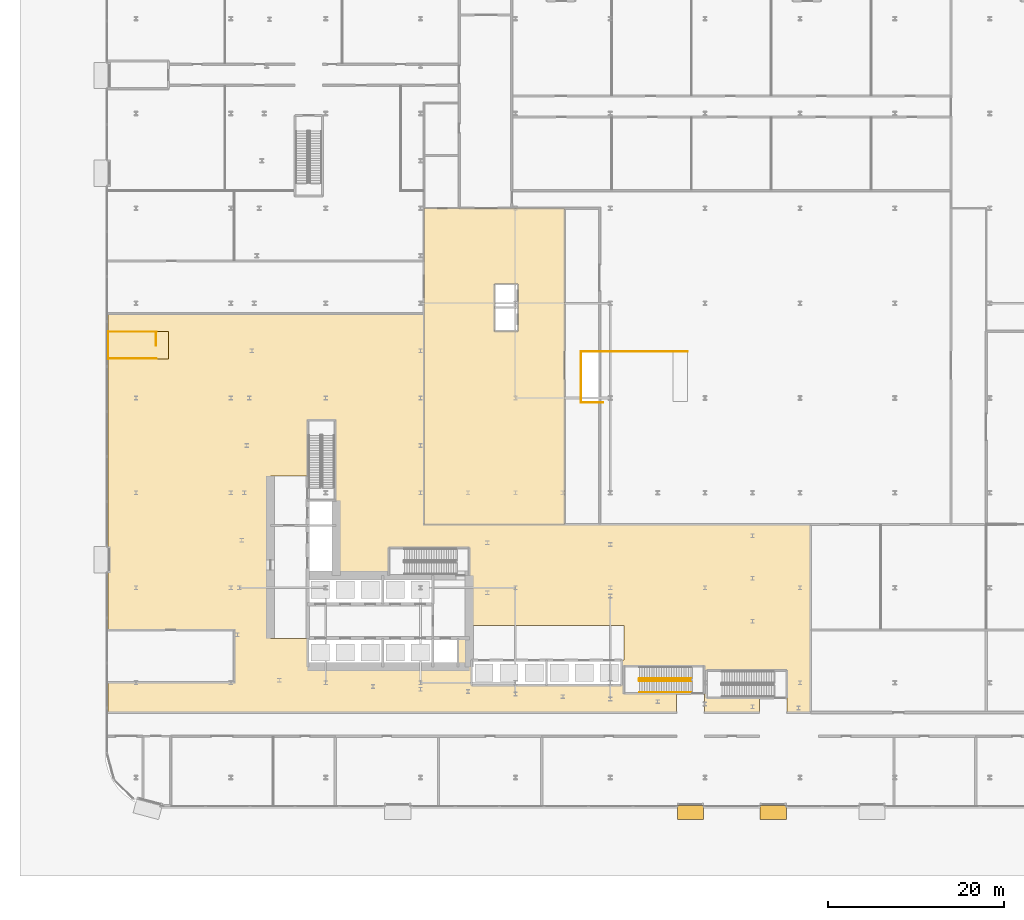
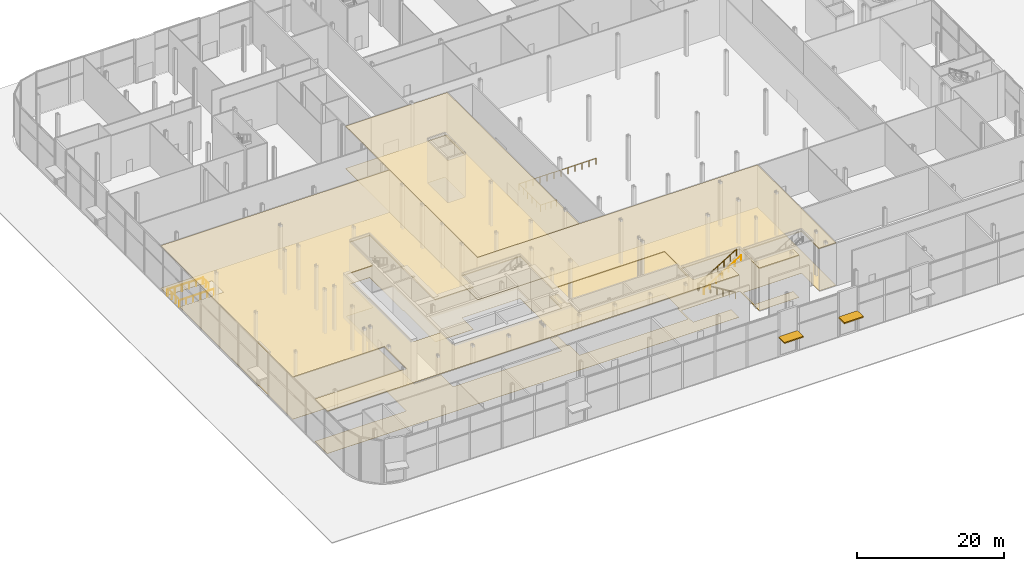
# One storey, part 37 of 46: 7 railings, 4 coverings, 2 shading devices.
"""IFC4 building model written with IfcOpenShell, lengths in metres."""

from ifc_helpers import new_model, si_unit, direction, frame, origin, origin_2d, place, context, subcontext, project, spatial, polyline, rectangle, circle, outline, extrude, material, layer, layer_set, type_object, element, save


model = new_model("IFC4")

# Units and contexts
model_context = context("Model", 3, precision=1e-05, world=origin(), true_north=direction((0.0, 1.0)))
body_context = subcontext(model_context, "Body", "Model", "MODEL_VIEW")
ifc_project = project(units=[si_unit("LENGTHUNIT", "METRE"), si_unit("AREAUNIT", "SQUARE_METRE"), si_unit("VOLUMEUNIT", "CUBIC_METRE"), si_unit("PLANEANGLEUNIT", "RADIAN"), si_unit("MASSUNIT", "GRAM", prefix="KILO")], contexts=[model_context])

# Site, building, storey
site_placement = place(None, origin())
site = spatial("IfcSite", under=ifc_project, at=site_placement, CompositionType="ELEMENT")
building_placement = place(site_placement, origin())
building = spatial("IfcBuilding", under=site, at=building_placement, Name="Kheshtan School and Residences Tower", CompositionType="ELEMENT")
storey_placement = place(building_placement, origin())
storey = spatial("IfcBuildingStorey", under=building, at=storey_placement, Name="L00", CompositionType="ELEMENT", Elevation=0.0)

# Shading devices
ifc_material_1 = material(Name="Zinc standing seam on insulated deck")
ifc_layer_1 = layer(ifc_material_1, 0.10009765625)
ifc_layer_set_1 = layer_set([ifc_layer_1], Name="Canopy awning")
shading_device_type = type_object("IfcShadingDeviceType", Name="Canopy awning", PredefinedType="AWNING", material=ifc_layer_set_1)
for number, where, z_axis, x_axis, name in (
    (1, (87.7451171875, 9.199951171875, 3.0), (0.0, 0.0, 1.0), (-1.0, 0.0, 0.0), "Entrance canopy 12.5"),
    (2, (78.3349609375, 9.199951171875, 3.0), (0.0, 0.0, 1.0), (-1.0, 0.0, 0.0), "Entrance canopy 12.7"),
):
    element("IfcShadingDevice", number, at=place(storey_placement, frame(where, z_axis=z_axis, x_axis=x_axis)), inside=storey, type_object=shading_device_type, Name=name, PredefinedType="AWNING", context=body_context, shape_type="SweptSolid", body=[
        extrude(rectangle(XDim=3.0, YDim=1.60009765625, at=origin_2d()), origin(), (0.0, 0.0, 1.0), 0.199951171875),
    ])

# Railings
ifc_material_2 = material(Name="Stainless steel balustrade", Category="steel")
railing_type_1 = type_object("IfcRailingType", Name="Stair guard 1100", PredefinedType="GUARDRAIL", material=ifc_material_2)
railing_1_placement = place(storey_placement, frame((78.409912109375, 24.449951171875, 0.17041015625)))
element("IfcRailing", 3, at=railing_1_placement, inside=storey, type_object=railing_type_1, Name="L00 ST5 stair guard 1", PredefinedType="GUARDRAIL", context=body_context, shape_type="SweptSolid", body=[
    extrude(circle(Radius=0.02392578125, at=origin_2d()), frame((0.0, 0.0, 1.076171875), z_axis=(-0.854164310681, 0.0, 0.520003202259), x_axis=(0.0, -1.0, 0.0)), (0.0, 0.0, 1.0), 6.8837890625),
    extrude(circle(Radius=0.02392578125, at=origin_2d()), frame((-5.8798828125, 0.0, 4.65576171875), z_axis=(-0.707106781187, -0.707106781187, 0.0), x_axis=(0.707106781187, -0.707106781187, 0.0)), (0.0, 0.0, 1.0), 0.07080078125),
    extrude(circle(Radius=0.02392578125, at=origin_2d()), frame((-5.929931640625, -0.050048828125, 4.65576171875), z_axis=(0.0, -1.0, 0.0), x_axis=(1.0, 0.0, 0.0)), (0.0, 0.0, 1.0), 0.14990234375),
    extrude(circle(Radius=0.02392578125, at=origin_2d()), frame((-5.929931640625, -0.199951171875, 4.65576171875), z_axis=(0.271230943075, -0.271230943075, 0.923508284228), x_axis=(0.707106781187, 0.707106781187, 0.0)), (0.0, 0.0, 1.0), 0.1845703125),
    extrude(circle(Radius=0.02392578125, at=origin_2d()), frame((-5.8798828125, -0.25, 4.826171875), z_axis=(0.854164310681, 0.0, 0.520003202259), x_axis=(0.0, 1.0, 0.0)), (0.0, 0.0, 1.0), 6.8837890625),
    extrude(circle(Radius=0.02099609375, at=origin_2d()), origin(), (0.0, 0.0, 1.0), 1.052001953125),
    extrude(circle(Radius=0.02099609375, at=origin_2d()), frame((-0.97998046875, 0.0, 0.5966796875)), (0.0, 0.0, 1.0), 1.052001953125),
    extrude(circle(Radius=0.02099609375, at=origin_2d()), frame((-1.9599609375, 0.0, 1.193115234375)), (0.0, 0.0, 1.0), 1.052001953125),
    extrude(circle(Radius=0.02099609375, at=origin_2d()), frame((-2.93994140625, 0.0, 1.789794921875)), (0.0, 0.0, 1.0), 1.052001953125),
    extrude(circle(Radius=0.02099609375, at=origin_2d()), frame((-3.919921875, 0.0, 2.386474609375)), (0.0, 0.0, 1.0), 1.052001953125),
    extrude(circle(Radius=0.02099609375, at=origin_2d()), frame((-4.89990234375, 0.0, 2.98291015625)), (0.0, 0.0, 1.0), 1.052001953125),
    extrude(circle(Radius=0.02099609375, at=origin_2d()), frame((-5.8798828125, 0.0, 3.57958984375)), (0.0, 0.0, 1.0), 1.052001953125),
    extrude(circle(Radius=0.02099609375, at=origin_2d()), frame((-5.929931640625, -0.050048828125, 3.57958984375)), (0.0, 0.0, 1.0), 1.052001953125),
    extrude(circle(Radius=0.02099609375, at=origin_2d()), frame((-5.929931640625, -0.199951171875, 3.57958984375)), (0.0, 0.0, 1.0), 1.052001953125),
    extrude(circle(Radius=0.02099609375, at=origin_2d()), frame((-5.8798828125, -0.25, 3.75)), (0.0, 0.0, 1.0), 1.052001953125),
    extrude(circle(Radius=0.02099609375, at=origin_2d()), frame((-4.89990234375, -0.25, 4.3466796875)), (0.0, 0.0, 1.0), 1.052001953125),
    extrude(circle(Radius=0.02099609375, at=origin_2d()), frame((-3.919921875, -0.25, 4.943115234375)), (0.0, 0.0, 1.0), 1.052001953125),
    extrude(circle(Radius=0.02099609375, at=origin_2d()), frame((-2.93994140625, -0.25, 5.539794921875)), (0.0, 0.0, 1.0), 1.052001953125),
    extrude(circle(Radius=0.02099609375, at=origin_2d()), frame((-1.9599609375, -0.25, 6.136474609375)), (0.0, 0.0, 1.0), 1.052001953125),
    extrude(circle(Radius=0.02099609375, at=origin_2d()), frame((-0.97998046875, -0.25, 6.73291015625)), (0.0, 0.0, 1.0), 1.052001953125),
    extrude(circle(Radius=0.02099609375, at=origin_2d()), frame((0.0, -0.25, 7.32958984375)), (0.0, 0.0, 1.0), 1.052001953125),
])
railing_2_placement = place(storey_placement, frame((17.469970703125, 63.89990234375, 0.0)))
element("IfcRailing", 4, at=railing_2_placement, inside=storey, type_object=railing_type_1, Name="L00 SS-west top well guard 1", PredefinedType="GUARDRAIL", context=body_context, shape_type="SweptSolid", body=[
    extrude(circle(Radius=0.02392578125, at=origin_2d()), frame((0.0, 0.0, 1.076171875), z_axis=(0.0, -1.0, 0.0), x_axis=(1.0, 0.0, 0.0)), (0.0, 0.0, 1.0), 1.5498046875),
    extrude(circle(Radius=0.02099609375, at=origin_2d()), origin(), (0.0, 0.0, 1.0), 1.052001953125),
    extrude(circle(Radius=0.02099609375, at=origin_2d()), frame((0.0, -0.77490234375, 0.0)), (0.0, 0.0, 1.0), 1.052001953125),
    extrude(circle(Radius=0.02099609375, at=origin_2d()), frame((0.0, -1.5498046875, 0.0)), (0.0, 0.0, 1.0), 1.052001953125),
])
for number, where, name in (
    (5, (17.52001953125, 63.949951171875, 0.0), "L00 SS-west top well guard 2"),
    (6, (17.52001953125, 60.89990234375, 0.0), "L00 SS-west top well guard 3"),
):
    element("IfcRailing", number, at=place(storey_placement, frame(where)), inside=storey, type_object=railing_type_1, Name=name, PredefinedType="GUARDRAIL", context=body_context, shape_type="SweptSolid", body=[
        extrude(circle(Radius=0.02392578125, at=origin_2d()), frame((0.0, 0.0, 1.076171875), z_axis=(-1.0, 0.0, 0.0), x_axis=(0.0, -1.0, 0.0)), (0.0, 0.0, 1.0), 5.52001953125),
        extrude(circle(Radius=0.02099609375, at=origin_2d()), origin(), (0.0, 0.0, 1.0), 1.052001953125),
        extrude(circle(Radius=0.02099609375, at=origin_2d()), frame((-1.10400390625, 0.0, 0.0)), (0.0, 0.0, 1.0), 1.052001953125),
        extrude(circle(Radius=0.02099609375, at=origin_2d()), frame((-2.2080078125, 0.0, 0.0)), (0.0, 0.0, 1.0), 1.052001953125),
        extrude(circle(Radius=0.02099609375, at=origin_2d()), frame((-3.31201171875, 0.0, 0.0)), (0.0, 0.0, 1.0), 1.052001953125),
        extrude(circle(Radius=0.02099609375, at=origin_2d()), frame((-4.416015625, 0.0, 0.0)), (0.0, 0.0, 1.0), 1.052001953125),
        extrude(circle(Radius=0.02099609375, at=origin_2d()), frame((-5.52001953125, 0.0, 0.0)), (0.0, 0.0, 1.0), 1.052001953125),
    ])
railing_3_placement = place(storey_placement, frame((12.050048828125, 64.0, 0.0)))
element("IfcRailing", 7, at=railing_3_placement, inside=storey, type_object=railing_type_1, Name="L00 SS-west top well guard 4", PredefinedType="GUARDRAIL", context=body_context, shape_type="SweptSolid", body=[
    extrude(circle(Radius=0.02392578125, at=origin_2d()), frame((0.0, 0.0, 1.076171875), z_axis=(0.0, -1.0, 0.0), x_axis=(1.0, 0.0, 0.0)), (0.0, 0.0, 1.0), 3.14990234375),
    extrude(circle(Radius=0.02099609375, at=origin_2d()), origin(), (0.0, 0.0, 1.0), 1.052001953125),
    extrude(circle(Radius=0.02099609375, at=origin_2d()), frame((0.0, -1.050048828125, 0.0)), (0.0, 0.0, 1.0), 1.052001953125),
    extrude(circle(Radius=0.02099609375, at=origin_2d()), frame((0.0, -2.099853515625, 0.0)), (0.0, 0.0, 1.0), 1.052001953125),
    extrude(circle(Radius=0.02099609375, at=origin_2d()), frame((0.0, -3.14990234375, 0.0)), (0.0, 0.0, 1.0), 1.052001953125),
])
railing_4_placement = place(storey_placement, frame((68.39990234375, 55.8798828125, 0.0)))
element("IfcRailing", 8, at=railing_4_placement, inside=storey, type_object=railing_type_1, Name="Guard L00 1", PredefinedType="GUARDRAIL", context=body_context, shape_type="SweptSolid", body=[
    extrude(circle(Radius=0.02392578125, at=origin_2d()), frame((0.0, 0.0, 1.076171875), z_axis=(-1.0, 0.0, 0.0), x_axis=(0.0, -1.0, 0.0)), (0.0, 0.0, 1.0), 2.52001953125),
    extrude(circle(Radius=0.02392578125, at=origin_2d()), frame((-2.52001953125, 0.0, 1.076171875), z_axis=(0.0, 1.0, 0.0), x_axis=(-1.0, 0.0, 0.0)), (0.0, 0.0, 1.0), 5.840087890625),
    extrude(circle(Radius=0.02392578125, at=origin_2d()), frame((-2.52001953125, 5.840087890625, 1.076171875), z_axis=(1.0, 0.0, 0.0), x_axis=(0.0, 1.0, 0.0)), (0.0, 0.0, 1.0), 12.1201171875),
    extrude(circle(Radius=0.02099609375, at=origin_2d()), origin(), (0.0, 0.0, 1.0), 1.052001953125),
    extrude(circle(Radius=0.02099609375, at=origin_2d()), frame((-0.840087890625, 0.0, 0.0)), (0.0, 0.0, 1.0), 1.052001953125),
    extrude(circle(Radius=0.02099609375, at=origin_2d()), frame((-1.679931640625, 0.0, 0.0)), (0.0, 0.0, 1.0), 1.052001953125),
    extrude(circle(Radius=0.02099609375, at=origin_2d()), frame((-2.52001953125, 0.0, 0.0)), (0.0, 0.0, 1.0), 1.052001953125),
    extrude(circle(Radius=0.02099609375, at=origin_2d()), frame((-2.52001953125, 1.16796875, 0.0)), (0.0, 0.0, 1.0), 1.052001953125),
    extrude(circle(Radius=0.02099609375, at=origin_2d()), frame((-2.52001953125, 2.3359375, 0.0)), (0.0, 0.0, 1.0), 1.052001953125),
    extrude(circle(Radius=0.02099609375, at=origin_2d()), frame((-2.52001953125, 3.504150390625, 0.0)), (0.0, 0.0, 1.0), 1.052001953125),
    extrude(circle(Radius=0.02099609375, at=origin_2d()), frame((-2.52001953125, 4.672119140625, 0.0)), (0.0, 0.0, 1.0), 1.052001953125),
    extrude(circle(Radius=0.02099609375, at=origin_2d()), frame((-2.52001953125, 5.840087890625, 0.0)), (0.0, 0.0, 1.0), 1.052001953125),
    extrude(circle(Radius=0.02099609375, at=origin_2d()), frame((-1.418212890625, 5.840087890625, 0.0)), (0.0, 0.0, 1.0), 1.052001953125),
    extrude(circle(Radius=0.02099609375, at=origin_2d()), frame((-0.31640625, 5.840087890625, 0.0)), (0.0, 0.0, 1.0), 1.052001953125),
    extrude(circle(Radius=0.02099609375, at=origin_2d()), frame((0.785400390625, 5.840087890625, 0.0)), (0.0, 0.0, 1.0), 1.052001953125),
    extrude(circle(Radius=0.02099609375, at=origin_2d()), frame((1.88720703125, 5.840087890625, 0.0)), (0.0, 0.0, 1.0), 1.052001953125),
    extrude(circle(Radius=0.02099609375, at=origin_2d()), frame((2.989013671875, 5.840087890625, 0.0)), (0.0, 0.0, 1.0), 1.052001953125),
    extrude(circle(Radius=0.02099609375, at=origin_2d()), frame((4.091064453125, 5.840087890625, 0.0)), (0.0, 0.0, 1.0), 1.052001953125),
    extrude(circle(Radius=0.02099609375, at=origin_2d()), frame((5.19287109375, 5.840087890625, 0.0)), (0.0, 0.0, 1.0), 1.052001953125),
    extrude(circle(Radius=0.02099609375, at=origin_2d()), frame((6.294677734375, 5.840087890625, 0.0)), (0.0, 0.0, 1.0), 1.052001953125),
    extrude(circle(Radius=0.02099609375, at=origin_2d()), frame((7.396484375, 5.840087890625, 0.0)), (0.0, 0.0, 1.0), 1.052001953125),
    extrude(circle(Radius=0.02099609375, at=origin_2d()), frame((8.498291015625, 5.840087890625, 0.0)), (0.0, 0.0, 1.0), 1.052001953125),
    extrude(circle(Radius=0.02099609375, at=origin_2d()), frame((9.60009765625, 5.840087890625, 0.0)), (0.0, 0.0, 1.0), 1.052001953125),
])
ifc_material_3 = material(Name="Stainless steel handrail", Category="steel")
railing_type_2 = type_object("IfcRailingType", Name="Stair handrail 900", PredefinedType="HANDRAIL", material=ifc_material_3)
railing_5_placement = place(storey_placement, frame((72.530029296875, 22.89990234375, 3.92041015625)))
element("IfcRailing", 9, at=railing_5_placement, inside=storey, type_object=railing_type_2, Name="L00 ST5 stair handrail 2", PredefinedType="HANDRAIL", context=body_context, shape_type="SweptSolid", body=[
    extrude(circle(Radius=0.02392578125, at=origin_2d()), frame((0.0, 0.0, 0.8759765625), z_axis=(0.854164310681, 0.0, 0.520003202259), x_axis=(0.0, 1.0, 0.0)), (0.0, 0.0, 1.0), 6.8837890625),
    extrude(circle(Radius=0.02099609375, at=origin_2d()), origin(), (0.0, 0.0, 1.0), 0.851806640625),
    extrude(circle(Radius=0.02099609375, at=origin_2d()), frame((0.97998046875, 0.0, 0.5966796875)), (0.0, 0.0, 1.0), 0.851806640625),
    extrude(circle(Radius=0.02099609375, at=origin_2d()), frame((1.9599609375, 0.0, 1.193115234375)), (0.0, 0.0, 1.0), 0.851806640625),
    extrude(circle(Radius=0.02099609375, at=origin_2d()), frame((2.93994140625, 0.0, 1.789794921875)), (0.0, 0.0, 1.0), 0.851806640625),
    extrude(circle(Radius=0.02099609375, at=origin_2d()), frame((3.919921875, 0.0, 2.386474609375)), (0.0, 0.0, 1.0), 0.851806640625),
    extrude(circle(Radius=0.02099609375, at=origin_2d()), frame((4.89990234375, 0.0, 2.98291015625)), (0.0, 0.0, 1.0), 0.851806640625),
    extrude(circle(Radius=0.02099609375, at=origin_2d()), frame((5.8798828125, 0.0, 3.57958984375)), (0.0, 0.0, 1.0), 0.851806640625),
])

# Coverings
ifc_material_4 = material(Name="Polished granite paving on screed", Category="masonry")
ifc_layer_2 = layer(ifc_material_4, 0.030029296875)
ifc_layer_set_2 = layer_set([ifc_layer_2], Name="Stone floor finish 30")
covering_type_1 = type_object("IfcCoveringType", Name="Stone floor finish 30", PredefinedType="FLOORING", material=ifc_layer_set_2)
covering_1_placement = place(storey_placement, origin())
element("IfcCovering", 10, at=covering_1_placement, inside=storey, type_object=covering_type_1, Name="Floor finish Residential Lobby L00", PredefinedType="FLOORING", context=body_context, shape_type="SweptSolid", body=[
    extrude(outline(polyline([(12.0, 66.0), (48.0, 66.0), (48.0, 42.0), (92.0, 42.0), (92.0, 20.60009765625), (89.320068359375, 20.60009765625), (89.320068359375, 25.39990234375), (80.159912109375, 25.39990234375), (80.159912109375, 22.25), (86.169921875, 22.25), (86.169921875, 20.60009765625), (79.909912109375, 20.60009765625), (79.909912109375, 25.89990234375), (70.75, 25.89990234375), (70.75, 22.75), (76.760009765625, 22.75), (76.760009765625, 20.60009765625), (12.0, 20.60009765625), (12.0, 24.0), (26.39990234375, 24.0), (26.39990234375, 30.0), (12.0, 30.0), (12.0, 60.85009765625), (18.919921875, 60.85009765625), (18.919921875, 64.0), (12.0, 64.0), (12.0, 66.0)]), holes=[polyline([(38.0, 36.199951171875), (38.0, 44.75), (37.89990234375, 44.75), (37.89990234375, 53.909912109375), (34.75, 53.909912109375), (34.75, 47.5), (30.5, 47.5), (30.5, 29.050048828125), (34.75, 29.050048828125), (34.75, 25.800048828125), (51.85009765625, 25.800048828125), (51.85009765625, 29.050048828125), (53.14990234375, 29.050048828125), (53.14990234375, 26.550048828125), (53.39990234375, 26.550048828125), (53.39990234375, 23.699951171875), (70.5, 23.699951171875), (70.5, 26.550048828125), (70.75, 26.550048828125), (70.75, 30.5), (53.14990234375, 30.5), (53.14990234375, 39.35009765625), (43.989990234375, 39.35009765625), (43.989990234375, 36.199951171875), (38.0, 36.199951171875)])]), origin(), (0.0, 0.0, 1.0), 0.030029296875),
])
covering_2_placement = place(storey_placement, origin())
element("IfcCovering", 11, at=covering_2_placement, inside=storey, type_object=covering_type_1, Name="Floor finish Unpaid Concourse West L00", PredefinedType="FLOORING", context=body_context, shape_type="SweptSolid", body=[
    extrude(outline(polyline([(64.0, 78.0), (48.0, 78.0), (48.0, 42.0), (64.0, 42.0), (64.0, 78.0)]), holes=[polyline([(56.0, 64.0), (56.0, 69.39990234375), (58.699951171875, 69.39990234375), (58.699951171875, 64.0), (56.0, 64.0)])]), origin(), (0.0, 0.0, 1.0), 0.030029296875),
])
ifc_material_5 = material(Name="Plasterboard ceiling tiles on metal grid")
ifc_layer_3 = layer(ifc_material_5, 0.14990234375)
ifc_layer_set_3 = layer_set([ifc_layer_3], Name="Suspended ceiling 150 plasterboard tiles")
covering_type_2 = type_object("IfcCoveringType", Name="Suspended ceiling 150 plasterboard tiles", PredefinedType="CEILING", material=ifc_layer_set_3)
covering_3_placement = place(storey_placement, frame((0.0, 0.0, 6.929931640625)))
element("IfcCovering", 12, at=covering_3_placement, inside=storey, type_object=covering_type_2, Name="Ceiling Residential Lobby L00", PredefinedType="CEILING", context=body_context, shape_type="SweptSolid", body=[
    extrude(outline(polyline([(12.0, 30.0), (26.39990234375, 30.0), (26.39990234375, 24.0), (12.0, 24.0), (12.0, 20.60009765625), (76.760009765625, 20.60009765625), (76.760009765625, 22.75), (70.75, 22.75), (70.75, 25.89990234375), (79.909912109375, 25.89990234375), (79.909912109375, 20.60009765625), (86.169921875, 20.60009765625), (86.169921875, 22.25), (80.159912109375, 22.25), (80.159912109375, 25.39990234375), (89.320068359375, 25.39990234375), (89.320068359375, 20.60009765625), (92.0, 20.60009765625), (92.0, 42.0), (48.0, 42.0), (48.0, 66.0), (12.0, 66.0), (12.0, 30.0)]), holes=[polyline([(43.989990234375, 36.199951171875), (43.989990234375, 39.35009765625), (53.14990234375, 39.35009765625), (53.14990234375, 30.5), (70.75, 30.5), (70.75, 26.550048828125), (70.5, 26.550048828125), (70.5, 23.699951171875), (53.39990234375, 23.699951171875), (53.39990234375, 26.550048828125), (53.14990234375, 26.550048828125), (53.14990234375, 29.050048828125), (51.85009765625, 29.050048828125), (51.85009765625, 25.800048828125), (34.75, 25.800048828125), (34.75, 29.050048828125), (30.5, 29.050048828125), (30.5, 47.5), (34.75, 47.5), (34.75, 53.909912109375), (37.89990234375, 53.909912109375), (37.89990234375, 44.75), (38.0, 44.75), (38.0, 36.199951171875), (43.989990234375, 36.199951171875)])]), origin(), (0.0, 0.0, 1.0), 0.150146484375),
])
covering_4_placement = place(storey_placement, frame((0.0, 0.0, 6.929931640625)))
element("IfcCovering", 13, at=covering_4_placement, inside=storey, type_object=covering_type_2, Name="Ceiling Unpaid Concourse West L00", PredefinedType="CEILING", context=body_context, shape_type="SweptSolid", body=[
    extrude(outline(polyline([(64.0, 78.0), (48.0, 78.0), (48.0, 42.0), (64.0, 42.0), (64.0, 78.0)]), holes=[polyline([(56.0, 64.0), (56.0, 69.39990234375), (58.699951171875, 69.39990234375), (58.699951171875, 64.0), (56.0, 64.0)])]), origin(), (0.0, 0.0, 1.0), 0.150146484375),
])

save(model, "model.ifc")
